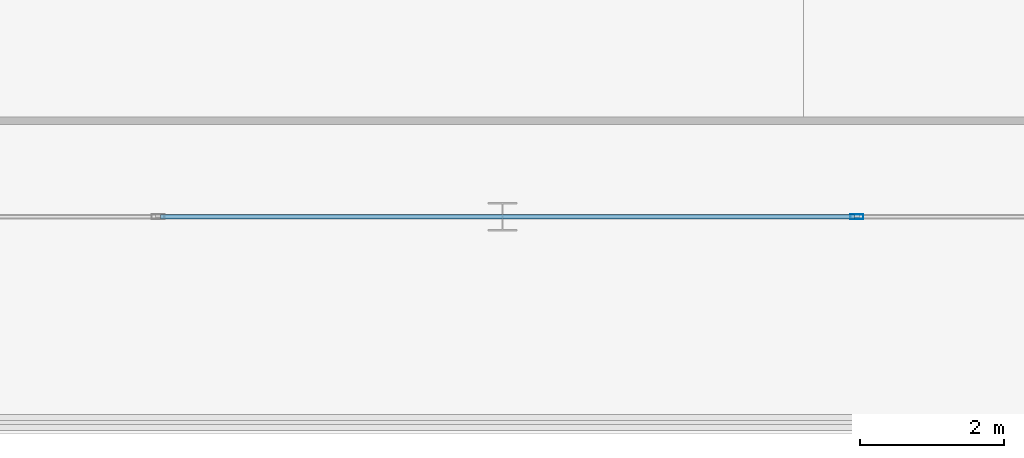
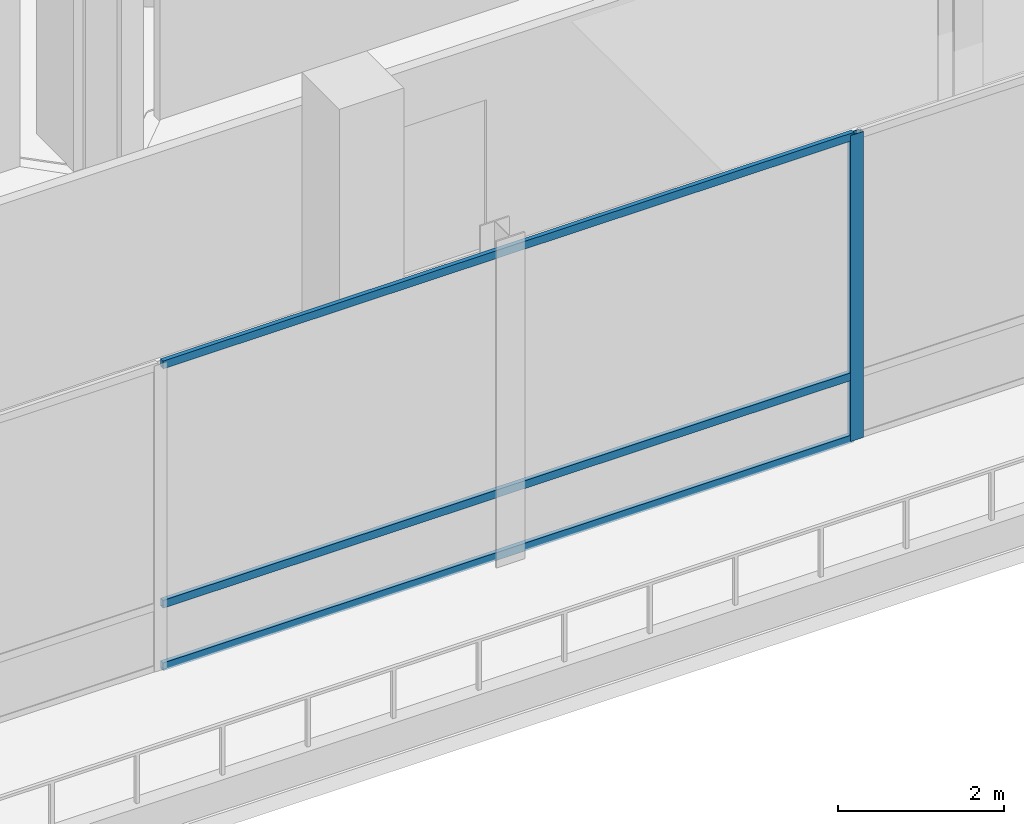
# One storey, part 12 of 39: 4 members, 1 element without a shape of its own.
"""IFC4 building model written with IfcOpenShell, lengths in metres."""

from ifc_helpers import new_model, si_unit, direction, frame, origin, origin_2d, place, context, subcontext, project, spatial, hollow_rectangle, extrude, material, layer, layer_set, material_profile, profile_set, type_object, element, aggregate, save


model = new_model("IFC4")

# Units and contexts
model_context = context("Model", 3, precision=1e-05, world=origin(), true_north=direction((0.0, 1.0)))
body_context = subcontext(model_context, "Body", "Model", "MODEL_VIEW")
ifc_project = project(units=[si_unit("LENGTHUNIT", "METRE"), si_unit("AREAUNIT", "SQUARE_METRE"), si_unit("VOLUMEUNIT", "CUBIC_METRE"), si_unit("PLANEANGLEUNIT", "RADIAN"), si_unit("MASSUNIT", "GRAM", prefix="KILO")], contexts=[model_context])

# Site, building, storey
site_placement = place(None, origin())
site = spatial("IfcSite", under=ifc_project, at=site_placement, CompositionType="ELEMENT")
building_placement = place(site_placement, origin())
building = spatial("IfcBuilding", under=site, at=building_placement, Name="Qianvela Tower", CompositionType="ELEMENT")
storey_placement = place(building_placement, frame((0.0, 0.0, 15.800048828125)))
storey = spatial("IfcBuildingStorey", under=building, at=storey_placement, Name="L03", CompositionType="ELEMENT", Elevation=15.800048828125)

# Curtain wall, members
ifc_material_1 = material(Name="Anodised Architectural Aluminium and Low-E Glass", Category="aluminium")
ifc_layer = layer(ifc_material_1, 0.179931640625)
ifc_layer_set = layer_set([ifc_layer], Name="Anodised Architectural Aluminium and Low-E Glass")
curtain_wall_type = type_object("IfcCurtainWallType", Name="CW-COMMONS", PredefinedType="USERDEFINED", material=ifc_layer_set)
curtain_wall_placement = place(storey_placement, origin())
curtain_wall = element("IfcCurtainWall", 1, at=curtain_wall_placement, inside=storey, type_object=curtain_wall_type, Name="L03 CW-COMMONS Curtain Wall 01", ObjectType="CURTAIN_WALL_SYSTEM", PredefinedType="USERDEFINED")
ifc_material_2 = material(Name="Anodised Architectural Aluminium 6063-T6", Category="aluminium")
ifc_material_profile_1 = material_profile(ifc_material_2, hollow_rectangle(XDim=0.070068359375, YDim=0.179931640625, WallThickness=0.0048828125, at=origin_2d()), Name="ALU-MULL-70x180")
ifc_profile_set_1 = profile_set([ifc_material_profile_1], Name="Anodised Architectural Aluminium 6063-T6")
member_type_1 = type_object("IfcMemberType", Name="CW-COMMONS-MULL", PredefinedType="MULLION", material=ifc_profile_set_1)
member_1_placement = place(storey_placement, frame((56.86669921875, 4.5, 0.0), z_axis=(0.0, 0.0, 1.0), x_axis=(0.0, 1.0, 0.0)))
member_1 = element("IfcMember", 2, at=member_1_placement, type_object=member_type_1, Name="CW-2 mullion 6", PredefinedType="MULLION", context=body_context, shape_type="SweptSolid", body=[
    extrude(hollow_rectangle(XDim=0.070068359375, YDim=0.179931640625, WallThickness=0.0048828125, at=origin_2d()), origin(), (0.0, 0.0, 1.0), 4.5),
])
ifc_material_3 = material(Name="Anodised Architectural Aluminium 6063-T6", Category="aluminium")
ifc_material_profile_2 = material_profile(ifc_material_3, hollow_rectangle(XDim=0.06005859375, YDim=0.114990234375, WallThickness=0.00390625, at=origin_2d()), Name="ALU-TRAN-60x115")
ifc_profile_set_2 = profile_set([ifc_material_profile_2], Name="Anodised Architectural Aluminium 6063-T6")
member_type_2 = type_object("IfcMemberType", Name="CW-COMMONS-TRAN", PredefinedType="USERDEFINED", material=ifc_profile_set_2)
member_2_placement = place(storey_placement, frame((47.21826171875, 4.5, 0.030029296875), z_axis=(1.0, 0.0, 0.0), x_axis=(0.0, 1.0, 0.0)))
member_2 = element("IfcMember", 3, at=member_2_placement, type_object=member_type_2, Name="CW-2 transom 5.1", ObjectType="TRANSOM", PredefinedType="USERDEFINED", context=body_context, shape_type="SweptSolid", body=[
    extrude(hollow_rectangle(XDim=0.06005859375, YDim=0.114990234375, WallThickness=0.00390625, at=origin_2d()), origin(), (0.0, 0.0, 1.0), 9.613525390625),
])
member_3_placement = place(storey_placement, frame((47.21826171875, 4.5, 0.949951171875), z_axis=(1.0, 0.0, 0.0), x_axis=(0.0, 1.0, 0.0)))
member_3 = element("IfcMember", 4, at=member_3_placement, type_object=member_type_2, Name="CW-2 transom 5.2", ObjectType="TRANSOM", PredefinedType="USERDEFINED", context=body_context, shape_type="SweptSolid", body=[
    extrude(hollow_rectangle(XDim=0.06005859375, YDim=0.114990234375, WallThickness=0.00390625, at=origin_2d()), origin(), (0.0, 0.0, 1.0), 9.613525390625),
])
member_4_placement = place(storey_placement, frame((47.21826171875, 4.5, 4.469970703125), z_axis=(1.0, 0.0, 0.0), x_axis=(0.0, 1.0, 0.0)))
member_4 = element("IfcMember", 5, at=member_4_placement, type_object=member_type_2, Name="CW-2 transom 5.3", ObjectType="TRANSOM", PredefinedType="USERDEFINED", context=body_context, shape_type="SweptSolid", body=[
    extrude(hollow_rectangle(XDim=0.06005859375, YDim=0.114990234375, WallThickness=0.00390625, at=origin_2d()), origin(), (0.0, 0.0, 1.0), 9.613525390625),
])
aggregate(curtain_wall, [member_1, member_2, member_3, member_4])

save(model, "model.ifc")
